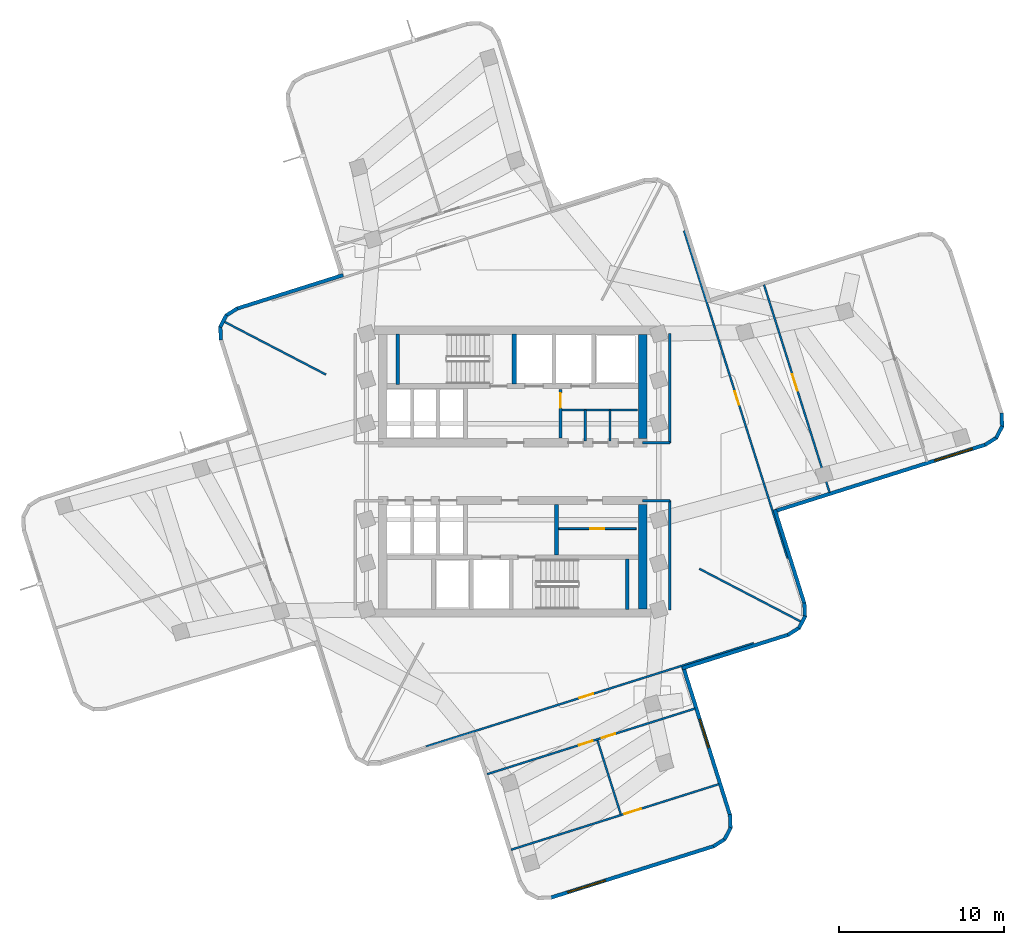
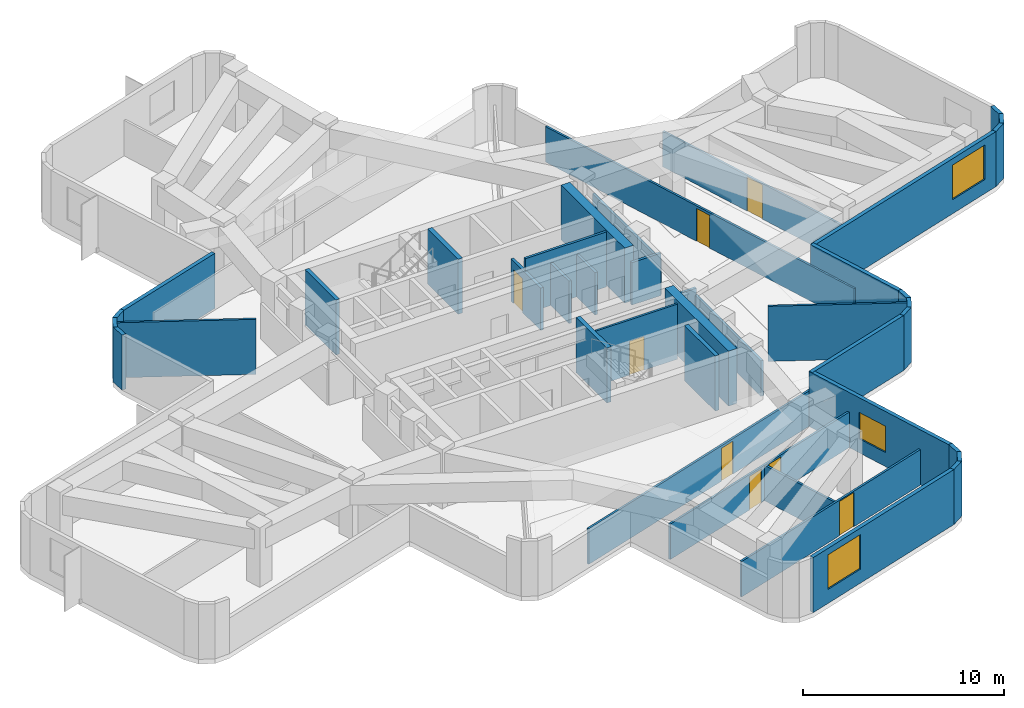
# One storey, part 4 of 8: 41 walls, 8 doors, 3 windows, 11 openings.
"""IFC4 building model written with IfcOpenShell, lengths in metres."""

from ifc_helpers import new_model, si_unit, direction, frame, frame_2d, origin, place, context, subcontext, project, spatial, rectangle, extrude, material, layer, layer_set, type_object, element, fill, save


model = new_model("IFC4")

# Units and contexts
model_context = context("Model", 3, precision=1e-05, world=origin(), true_north=direction((0.0, 1.0)))
body_context = subcontext(model_context, "Body", "Model", "MODEL_VIEW")
ifc_project = project(units=[si_unit("LENGTHUNIT", "METRE"), si_unit("AREAUNIT", "SQUARE_METRE"), si_unit("VOLUMEUNIT", "CUBIC_METRE"), si_unit("PLANEANGLEUNIT", "RADIAN"), si_unit("MASSUNIT", "GRAM", prefix="KILO")], contexts=[model_context])

# Site, building, storey
site_placement = place(None, origin())
site = spatial("IfcSite", under=ifc_project, at=site_placement, CompositionType="ELEMENT")
building_placement = place(site_placement, origin())
building = spatial("IfcBuilding", under=site, at=building_placement, Name="Solmarez Civic Tower", CompositionType="ELEMENT")
storey_placement = place(building_placement, frame((0.0, 0.0, 152.280029296875)))
storey = spatial("IfcBuildingStorey", under=building, at=storey_placement, Name="L40", CompositionType="ELEMENT", Elevation=152.280029296875)

# Walls
ifc_material_1 = material(Name="Concrete C60/75", Category="concrete")
ifc_layer_1 = layer(ifc_material_1, 0.5)
ifc_layer_set_1 = layer_set([ifc_layer_1], Name="Concrete C60/75")
wall_type_1 = type_object("IfcWallType", Name="WALL-CORE-500", PredefinedType="SHEAR", material=ifc_layer_set_1)
for number, where, z_axis, x_axis, name in (
    (1, (7.8701171875, 8.31005859375, 0.0), (0.0, 0.0, 1.0), (0.0, -1.0, 0.0), "L40 Split-Core Structural Wall NCW-E-L40"),
    (2, (7.8701171875, -2.0, 0.0), (0.0, 0.0, 1.0), (0.0, -1.0, 0.0), "L40 Split-Core Structural Wall SCW-E-L40"),
):
    element("IfcWall", number, at=place(storey_placement, frame(where, z_axis=z_axis, x_axis=x_axis)), inside=storey, type_object=wall_type_1, Name=name, PredefinedType="SHEAR", context=body_context, shape_type="SweptSolid", body=[
        extrude(rectangle(XDim=6.31005859375, YDim=0.5, at=frame_2d((3.155029296875, 0.0))), origin(), (0.0, 0.0, 1.0), 3.340087890625),
    ])
ifc_material_2 = material(Name="Precast concrete C40/50", Category="concrete")
ifc_layer_2 = layer(ifc_material_2, 0.219970703125)
ifc_layer_set_2 = layer_set([ifc_layer_2], Name="Precast concrete C40/50")
wall_type_2 = type_object("IfcWallType", Name="WALL-EXT-220", PredefinedType="SOLIDWALL", material=ifc_layer_set_2)
wall_1_placement = place(storey_placement, frame((-17.6630859375, 7.962890625, 0.0), z_axis=(0.0, 0.0, 1.0), x_axis=(-0.044147725226, 0.99902501388, 0.0)))
element("IfcWall", 3, at=wall_1_placement, inside=storey, type_object=wall_type_2, Name="L40 Exterior Precast Wall 14", PredefinedType="SOLIDWALL", context=body_context, shape_type="SweptSolid", body=[
    extrude(rectangle(XDim=0.8349609375, YDim=0.219970703125, at=frame_2d((0.41748046875, 0.0))), origin(), (0.0, 0.0, 1.0), 3.340087890625),
])
wall_2_placement = place(storey_placement, frame((-17.7109375, 8.75, 0.0), z_axis=(0.0, 0.0, 1.0), x_axis=(0.462647505427, 0.886542320322, 0.0)))
element("IfcWall", 4, at=wall_2_placement, inside=storey, type_object=wall_type_2, Name="L40 Exterior Precast Wall 15", PredefinedType="SOLIDWALL", context=body_context, shape_type="SweptSolid", body=[
    extrude(rectangle(XDim=0.819091796875, YDim=0.219970703125, at=frame_2d((0.40966796875, 0.0))), origin(), (0.0, 0.0, 1.0), 3.340087890625),
])
wall_3_placement = place(storey_placement, frame((-17.364990234375, 9.44091796875, 0.0), z_axis=(0.0, 0.0, 1.0), x_axis=(0.84369762364, 0.536818702975, 0.0)))
element("IfcWall", 5, at=wall_3_placement, inside=storey, type_object=wall_type_2, Name="L40 Exterior Precast Wall 16", PredefinedType="SOLIDWALL", context=body_context, shape_type="SweptSolid", body=[
    extrude(rectangle(XDim=0.83447265625, YDim=0.219970703125, at=frame_2d((0.417236328125, 0.0))), origin(), (0.0, 0.0, 1.0), 3.340087890625),
])
wall_4_placement = place(storey_placement, frame((-16.7060546875, 9.867919921875, 0.0), z_axis=(0.0, 0.0, 1.0), x_axis=(0.953629605256, 0.300982683852, 0.0)))
element("IfcWall", 6, at=wall_4_placement, inside=storey, type_object=wall_type_2, Name="L40 Exterior Precast Wall 17", PredefinedType="SOLIDWALL", context=body_context, shape_type="SweptSolid", body=[
    extrude(rectangle(XDim=6.758544921875, YDim=0.219970703125, at=frame_2d((3.37939453125, 0.0))), origin(), (0.0, 0.0, 1.0), 3.340087890625),
])
wall_5_placement = place(storey_placement, frame((29.60302734375, 3.544921875, 0.0), z_axis=(0.0, 0.0, 1.0), x_axis=(0.042992997635, -0.99907537361, 0.0)))
element("IfcWall", 7, at=wall_5_placement, inside=storey, type_object=wall_type_2, Name="L40 Exterior Precast Wall 43", PredefinedType="SOLIDWALL", context=body_context, shape_type="SweptSolid", body=[
    extrude(rectangle(XDim=0.834716796875, YDim=0.219970703125, at=frame_2d((0.41748046875, 0.0))), origin(), (0.0, 0.0, 1.0), 3.340087890625),
])
wall_6_placement = place(storey_placement, frame((29.64990234375, 2.758056640625, 0.0), z_axis=(0.0, 0.0, 1.0), x_axis=(-0.462647505427, -0.886542320322, 0.0)))
element("IfcWall", 8, at=wall_6_placement, inside=storey, type_object=wall_type_2, Name="L40 Exterior Precast Wall 44", PredefinedType="SOLIDWALL", context=body_context, shape_type="SweptSolid", body=[
    extrude(rectangle(XDim=0.819091796875, YDim=0.219970703125, at=frame_2d((0.40966796875, 0.0))), origin(), (0.0, 0.0, 1.0), 3.340087890625),
])
wall_7_placement = place(storey_placement, frame((29.303955078125, 2.06689453125, 0.0), z_axis=(0.0, 0.0, 1.0), x_axis=(-0.843275323489, -0.537481840432, 0.0)))
element("IfcWall", 9, at=wall_7_placement, inside=storey, type_object=wall_type_2, Name="L40 Exterior Precast Wall 45", PredefinedType="SOLIDWALL", context=body_context, shape_type="SweptSolid", body=[
    extrude(rectangle(XDim=0.83349609375, YDim=0.219970703125, at=frame_2d((0.416748046875, 0.0))), origin(), (0.0, 0.0, 1.0), 3.340087890625),
])

# Wall, opening, window
wall_8_placement = place(storey_placement, frame((28.64599609375, 1.639892578125, 0.0), z_axis=(0.0, 0.0, 1.0), x_axis=(-0.953626521982, -0.300992452685, 0.0)))
wall_8 = element("IfcWall", 10, at=wall_8_placement, inside=storey, type_object=wall_type_2, Name="L40 Exterior Precast Wall 46", PredefinedType="SOLIDWALL", context=body_context, shape_type="SweptSolid", body=[
    extrude(rectangle(XDim=13.4580078125, YDim=0.219970703125, at=frame_2d((6.72900390625, 0.0))), origin(), (0.0, 0.0, 1.0), 3.340087890625),
])
opening_1_placement = place(wall_8_placement, frame((0.85009765625, 0.0, 0.85009765625)))
opening_1 = element("IfcOpeningElement", 11, at=opening_1_placement, cuts=wall_8, Name="Opening W-02", PredefinedType="OPENING", context=body_context, shape_type="SweptSolid", body=[
    extrude(rectangle(XDim=2.39990234375, YDim=2.10009765625, at=frame_2d((1.199951171875, 1.050048828125))), frame((0.0, 0.119873046875, 0.0), z_axis=(0.0, -1.0, 0.0), x_axis=(1.0, 0.0, 0.0)), (0.0, 0.0, 1.0), 0.239990234375),
])
ifc_material_3 = material(Name="Solar Control Bronze-Tinted Insulating Glass", Category="glass")
window_type_1 = type_object("IfcWindowType", Name="WIN-2400X2100", PartitioningType="SINGLE_PANEL", PredefinedType="WINDOW", material=ifc_material_3)
window_1_placement = place(opening_1_placement, origin())
window_1 = element("IfcWindow", 12, at=window_1_placement, inside=storey, type_object=window_type_1, Name="L40 Exterior Facade Window 46", OverallHeight=2.10009765625, OverallWidth=2.39990234375, PartitioningType="SINGLE_PANEL", PredefinedType="WINDOW", context=body_context, shape_type="SweptSolid", body=[
    extrude(rectangle(XDim=2.39990234375, YDim=2.10009765625, at=frame_2d((1.199951171875, 1.050048828125))), frame((0.0, 0.030029296875, 0.0), z_axis=(0.0, -1.0, 0.0), x_axis=(1.0, 0.0, 0.0)), (0.0, 0.0, 1.0), 0.06005859375),
])
fill(opening_1, window_1)

# Walls
wall_9_placement = place(storey_placement, frame((15.8701171875, -2.301025390625, 0.0), z_axis=(0.0, 0.0, 1.0), x_axis=(0.300910882413, -0.953652264112, 0.0)))
element("IfcWall", 13, at=wall_9_placement, inside=storey, type_object=wall_type_2, Name="L40 Exterior Precast Wall 49", PredefinedType="SOLIDWALL", context=body_context, shape_type="SweptSolid", body=[
    extrude(rectangle(XDim=5.988525390625, YDim=0.219970703125, at=frame_2d((2.994140625, 0.0))), origin(), (0.0, 0.0, 1.0), 3.340087890625),
])
wall_10_placement = place(storey_placement, frame((17.6630859375, -7.962890625, 0.0), z_axis=(0.0, 0.0, 1.0), x_axis=(0.044147725226, -0.99902501388, 0.0)))
element("IfcWall", 14, at=wall_10_placement, inside=storey, type_object=wall_type_2, Name="L40 Exterior Precast Wall 50", PredefinedType="SOLIDWALL", context=body_context, shape_type="SweptSolid", body=[
    extrude(rectangle(XDim=0.8349609375, YDim=0.219970703125, at=frame_2d((0.41748046875, 0.0))), origin(), (0.0, 0.0, 1.0), 3.340087890625),
])
wall_11_placement = place(storey_placement, frame((17.7109375, -8.75, 0.0), z_axis=(0.0, 0.0, 1.0), x_axis=(-0.462647505427, -0.886542320322, 0.0)))
element("IfcWall", 15, at=wall_11_placement, inside=storey, type_object=wall_type_2, Name="L40 Exterior Precast Wall 51", PredefinedType="SOLIDWALL", context=body_context, shape_type="SweptSolid", body=[
    extrude(rectangle(XDim=0.819091796875, YDim=0.219970703125, at=frame_2d((0.40966796875, 0.0))), origin(), (0.0, 0.0, 1.0), 3.340087890625),
])
wall_12_placement = place(storey_placement, frame((17.364990234375, -9.44091796875, 0.0), z_axis=(0.0, 0.0, 1.0), x_axis=(-0.84369762364, -0.536818702975, 0.0)))
element("IfcWall", 16, at=wall_12_placement, inside=storey, type_object=wall_type_2, Name="L40 Exterior Precast Wall 52", PredefinedType="SOLIDWALL", context=body_context, shape_type="SweptSolid", body=[
    extrude(rectangle(XDim=0.83447265625, YDim=0.219970703125, at=frame_2d((0.417236328125, 0.0))), origin(), (0.0, 0.0, 1.0), 3.340087890625),
])
wall_13_placement = place(storey_placement, frame((16.7060546875, -9.867919921875, 0.0), z_axis=(0.0, 0.0, 1.0), x_axis=(-0.953629605256, -0.300982683852, 0.0)))
element("IfcWall", 17, at=wall_13_placement, inside=storey, type_object=wall_type_2, Name="L40 Exterior Precast Wall 53", PredefinedType="SOLIDWALL", context=body_context, shape_type="SweptSolid", body=[
    extrude(rectangle(XDim=6.758544921875, YDim=0.219970703125, at=frame_2d((3.37939453125, 0.0))), origin(), (0.0, 0.0, 1.0), 3.340087890625),
])

# Wall, opening, window
wall_14_placement = place(storey_placement, frame((10.319091796875, -11.7919921875, 0.0), z_axis=(0.0, 0.0, 1.0), x_axis=(0.301051082334, -0.953608014766, 0.0)))
wall_14 = element("IfcWall", 18, at=wall_14_placement, inside=storey, type_object=wall_type_2, Name="L40 Exterior Precast Wall 56", PredefinedType="SOLIDWALL", context=body_context, shape_type="SweptSolid", body=[
    extrude(rectangle(XDim=9.4599609375, YDim=0.219970703125, at=frame_2d((4.72998046875, 0.0))), origin(), (0.0, 0.0, 1.0), 3.340087890625),
])
opening_2_placement = place(wall_14_placement, frame((3.35009765625, 0.0, 0.85009765625)))
opening_2 = element("IfcOpeningElement", 19, at=opening_2_placement, cuts=wall_14, Name="Opening W-12", PredefinedType="OPENING", context=body_context, shape_type="SweptSolid", body=[
    extrude(rectangle(XDim=1.800048828125, YDim=1.60009765625, at=frame_2d((0.89990234375, 0.800048828125))), frame((0.0, 0.119873046875, 0.0), z_axis=(0.0, -1.0, 0.0), x_axis=(1.0, 0.0, 0.0)), (0.0, 0.0, 1.0), 0.239990234375),
])
window_type_2 = type_object("IfcWindowType", Name="WIN-1800X1600", PartitioningType="SINGLE_PANEL", PredefinedType="WINDOW", material=ifc_material_3)
window_2_placement = place(opening_2_placement, origin())
window_2 = element("IfcWindow", 20, at=window_2_placement, inside=storey, type_object=window_type_2, Name="L40 Exterior Facade Window 56", OverallHeight=1.60009765625, OverallWidth=1.800048828125, PartitioningType="SINGLE_PANEL", PredefinedType="WINDOW", context=body_context, shape_type="SweptSolid", body=[
    extrude(rectangle(XDim=1.800048828125, YDim=1.60009765625, at=frame_2d((0.89990234375, 0.800048828125))), frame((0.0, 0.030029296875, 0.0), z_axis=(0.0, -1.0, 0.0), x_axis=(1.0, 0.0, 0.0)), (0.0, 0.0, 1.0), 0.06005859375),
])
fill(opening_2, window_2)

# Walls
wall_15_placement = place(storey_placement, frame((13.157958984375, -20.763916015625, 0.0), z_axis=(0.0, 0.0, 1.0), x_axis=(0.043335569986, -0.999060572925, 0.0)))
element("IfcWall", 21, at=wall_15_placement, inside=storey, type_object=wall_type_2, Name="L40 Exterior Precast Wall 57", PredefinedType="SOLIDWALL", context=body_context, shape_type="SweptSolid", body=[
    extrude(rectangle(XDim=0.833740234375, YDim=0.219970703125, at=frame_2d((0.4169921875, 0.0))), origin(), (0.0, 0.0, 1.0), 3.340087890625),
])
wall_16_placement = place(storey_placement, frame((13.205078125, -21.550048828125, 0.0), z_axis=(0.0, 0.0, 1.0), x_axis=(-0.462393015656, -0.886675080891, 0.0)))
element("IfcWall", 22, at=wall_16_placement, inside=storey, type_object=wall_type_2, Name="L40 Exterior Precast Wall 58", PredefinedType="SOLIDWALL", context=body_context, shape_type="SweptSolid", body=[
    extrude(rectangle(XDim=0.820068359375, YDim=0.219970703125, at=frame_2d((0.41015625, 0.0))), origin(), (0.0, 0.0, 1.0), 3.340087890625),
])
wall_17_placement = place(storey_placement, frame((12.85888671875, -22.241943359375, 0.0), z_axis=(0.0, 0.0, 1.0), x_axis=(-0.843806278008, -0.536647896851, 0.0)))
element("IfcWall", 23, at=wall_17_placement, inside=storey, type_object=wall_type_2, Name="L40 Exterior Precast Wall 59", PredefinedType="SOLIDWALL", context=body_context, shape_type="SweptSolid", body=[
    extrude(rectangle(XDim=0.8330078125, YDim=0.219970703125, at=frame_2d((0.41650390625, 0.0))), origin(), (0.0, 0.0, 1.0), 3.340087890625),
])

# Wall, opening, window
wall_18_placement = place(storey_placement, frame((12.200927734375, -22.66796875, 0.0), z_axis=(0.0, 0.0, 1.0), x_axis=(-0.953590831, -0.30110550814, 0.0)))
wall_18 = element("IfcWall", 24, at=wall_18_placement, inside=storey, type_object=wall_type_2, Name="L40 Exterior Precast Wall 60", PredefinedType="SOLIDWALL", context=body_context, shape_type="SweptSolid", body=[
    extrude(rectangle(XDim=10.39208984375, YDim=0.219970703125, at=frame_2d((5.196044921875, 0.0))), origin(), (0.0, 0.0, 1.0), 3.340087890625),
])
opening_3_placement = place(wall_18_placement, frame((6.906005859375, 0.0, 0.85009765625)))
opening_3 = element("IfcOpeningElement", 25, at=opening_3_placement, cuts=wall_18, Name="Opening W-02", PredefinedType="OPENING", context=body_context, shape_type="SweptSolid", body=[
    extrude(rectangle(XDim=2.39990234375, YDim=2.10009765625, at=frame_2d((1.199951171875, 1.050048828125))), frame((0.0, 0.119873046875, 0.0), z_axis=(0.0, -1.0, 0.0), x_axis=(1.0, 0.0, 0.0)), (0.0, 0.0, 1.0), 0.239990234375),
])
window_3_placement = place(opening_3_placement, origin())
window_3 = element("IfcWindow", 26, at=window_3_placement, inside=storey, type_object=window_type_1, Name="L40 Exterior Facade Window 60", OverallHeight=2.10009765625, OverallWidth=2.39990234375, PartitioningType="SINGLE_PANEL", PredefinedType="WINDOW", context=body_context, shape_type="SweptSolid", body=[
    extrude(rectangle(XDim=2.39990234375, YDim=2.10009765625, at=frame_2d((1.199951171875, 1.050048828125))), frame((0.0, 0.030029296875, 0.0), z_axis=(0.0, -1.0, 0.0), x_axis=(1.0, 0.0, 0.0)), (0.0, 0.0, 1.0), 0.06005859375),
])
fill(opening_3, window_3)

# Walls
ifc_material_4 = material(Name="Gypsum Board Acoustic Steel-Stud Partition", Category="steel")
ifc_layer_3 = layer(ifc_material_4, 0.14990234375)
ifc_layer_set_3 = layer_set([ifc_layer_3], Name="Gypsum Board Acoustic Steel-Stud Partition")
wall_type_3 = type_object("IfcWallType", Name="WALL-INT-FIRE-150", PredefinedType="PARTITIONING", material=ifc_layer_set_3)
wall_19_placement = place(storey_placement, frame((9.52001953125, 1.75, 0.0), z_axis=(0.0, 0.0, 1.0), x_axis=(0.0, 1.0, 0.0)))
element("IfcWall", 27, at=wall_19_placement, inside=storey, type_object=wall_type_3, Name="L40 Interior Partition CHW-L40-EN1", PredefinedType="PARTITIONING", context=body_context, shape_type="SweptSolid", body=[
    extrude(rectangle(XDim=6.6298828125, YDim=0.14990234375, at=frame_2d((3.31494140625, 0.0))), origin(), (0.0, 0.0, 1.0), 2.15185546875),
])
wall_20_placement = place(storey_placement, frame((7.85009765625, 1.75, 0.0), z_axis=(0.0, 0.0, 1.0), x_axis=(1.0, 0.0, 0.0)))
element("IfcWall", 28, at=wall_20_placement, inside=storey, type_object=wall_type_3, Name="L40 Interior Partition CHW-L40-EN3", PredefinedType="PARTITIONING", context=body_context, shape_type="SweptSolid", body=[
    extrude(rectangle(XDim=1.669921875, YDim=0.14990234375, at=frame_2d((0.8349609375, 0.0))), origin(), (0.0, 0.0, 1.0), 2.570068359375),
])
wall_21_placement = place(storey_placement, frame((9.52001953125, -8.3798828125, 0.0), z_axis=(0.0, 0.0, 1.0), x_axis=(0.0, 1.0, 0.0)))
element("IfcWall", 29, at=wall_21_placement, inside=storey, type_object=wall_type_3, Name="L40 Interior Partition CHW-L40-ES1", PredefinedType="PARTITIONING", context=body_context, shape_type="SweptSolid", body=[
    extrude(rectangle(XDim=6.6298828125, YDim=0.14990234375, at=frame_2d((3.31494140625, 0.0))), origin(), (0.0, 0.0, 1.0), 2.15185546875),
])
wall_22_placement = place(storey_placement, frame((7.85009765625, -1.75, 0.0), z_axis=(0.0, 0.0, 1.0), x_axis=(1.0, 0.0, 0.0)))
element("IfcWall", 30, at=wall_22_placement, inside=storey, type_object=wall_type_3, Name="L40 Interior Partition CHW-L40-ES3", PredefinedType="PARTITIONING", context=body_context, shape_type="SweptSolid", body=[
    extrude(rectangle(XDim=1.669921875, YDim=0.14990234375, at=frame_2d((0.8349609375, 0.0))), origin(), (0.0, 0.0, 1.0), 2.570068359375),
])

# Wall, opening, door
ifc_layer_4 = layer(ifc_material_4, 0.1201171875)
ifc_layer_set_4 = layer_set([ifc_layer_4], Name="Gypsum Board Acoustic Steel-Stud Partition")
wall_type_4 = type_object("IfcWallType", Name="WALL-INT-PART-120", PredefinedType="PARTITIONING", material=ifc_layer_set_4)
wall_23_placement = place(storey_placement, frame((2.800048828125, -3.449951171875, 0.0), z_axis=(0.0, 0.0, 1.0), x_axis=(1.0, 0.0, 0.0)))
wall_23 = element("IfcWall", 31, at=wall_23_placement, inside=storey, type_object=wall_type_4, Name="L40 Interior Partition PT-FPLL-L40", PredefinedType="PARTITIONING", context=body_context, shape_type="SweptSolid", body=[
    extrude(rectangle(XDim=4.679931640625, YDim=0.1201171875, at=frame_2d((2.33984375, 0.0))), origin(), (0.0, 0.0, 1.0), 3.340087890625),
])
opening_4_placement = place(wall_23_placement, frame((1.89990234375, 0.0, 0.0)))
opening_4 = element("IfcOpeningElement", 32, at=opening_4_placement, cuts=wall_23, Name="Opening D-14", PredefinedType="OPENING", context=body_context, shape_type="SweptSolid", body=[
    extrude(rectangle(XDim=0.860107421875, YDim=2.0400390625, at=frame_2d((0.43017578125, 1.02001953125))), frame((0.0, 0.070068359375, 0.0), z_axis=(0.0, -1.0, 0.0), x_axis=(1.0, 0.0, 0.0)), (0.0, 0.0, 1.0), 0.14013671875),
])
ifc_material_5 = material(Name="Timber Storage and Pantry Door", Category="wood")
door_type_1 = type_object("IfcDoorType", Name="DOOR-INT-850", OperationType="NOTDEFINED", PredefinedType="DOOR", material=ifc_material_5)
door_1_placement = place(opening_4_placement, origin())
door_1 = element("IfcDoor", 33, at=door_1_placement, inside=storey, type_object=door_type_1, Name="L40 Records Filing Room Door", OperationType="SINGLE_SWING_LEFT", OverallHeight=2.0400390625, OverallWidth=0.860107421875, PredefinedType="DOOR", context=body_context, shape_type="SweptSolid", body=[
    extrude(rectangle(XDim=0.860107421875, YDim=2.0400390625, at=frame_2d((0.43017578125, 1.02001953125))), frame((0.0, 0.02490234375, 0.0), z_axis=(0.0, -1.0, 0.0), x_axis=(1.0, 0.0, 0.0)), (0.0, 0.0, 1.0), 0.050048828125),
])
fill(opening_4, door_1)

# Walls
for number, where, z_axis, x_axis, name in (
    (34, (-11.300048828125, 5.876953125, 0.0), (0.0, 0.0, 1.0), (-0.887198362964, 0.461388193123, 0.0), "L40 Interior Partition PT-L40-QDIV-2"),
    (35, (11.300048828125, -5.876953125, 0.0), (0.0, 0.0, 1.0), (0.887198362964, -0.461388193123, 0.0), "L40 Interior Partition PT-L40-QDIV-4"),
):
    element("IfcWall", number, at=place(storey_placement, frame(where, z_axis=z_axis, x_axis=x_axis)), inside=storey, type_object=wall_type_4, Name=name, PredefinedType="PARTITIONING", context=body_context, shape_type="SweptSolid", body=[
        extrude(rectangle(XDim=6.9375, YDim=0.1201171875, at=frame_2d((3.46875, 0.0))), origin(), (0.0, 0.0, 1.0), 3.340087890625),
    ])

# Wall, opening, door
wall_24_placement = place(storey_placement, frame((10.37890625, 14.591064453125, 0.0), z_axis=(0.0, 0.0, 1.0), x_axis=(0.301070726534, -0.95360181293, 0.0)))
wall_24 = element("IfcWall", 36, at=wall_24_placement, inside=storey, type_object=wall_type_4, Name="L40 Interior Partition PT-L40-E-ENT", PredefinedType="PARTITIONING", context=body_context, shape_type="SweptSolid", body=[
    extrude(rectangle(XDim=20.8095703125, YDim=0.1201171875, at=frame_2d((10.40478515625, 0.0))), origin(), (0.0, 0.0, 1.0), 2.15185546875),
])
opening_5_placement = place(wall_24_placement, frame((10.18896484375, 0.0, 0.0)))
opening_5 = element("IfcOpeningElement", 37, at=opening_5_placement, cuts=wall_24, Name="Opening D-19", PredefinedType="OPENING", context=body_context, shape_type="SweptSolid", body=[
    extrude(rectangle(XDim=0.860107421875, YDim=2.0, at=frame_2d((0.43017578125, 1.0))), frame((0.0, 0.070068359375, 0.0), z_axis=(0.0, -1.0, 0.0), x_axis=(1.0, 0.0, 0.0)), (0.0, 0.0, 1.0), 0.14013671875),
])
ifc_material_6 = material(Name="Timber Low-Headroom Storage and Pantry Door", Category="wood")
door_type_2 = type_object("IfcDoorType", Name="DOOR-INT-850-2000", OperationType="NOTDEFINED", PredefinedType="DOOR", material=ifc_material_6)
door_2_placement = place(opening_5_placement, origin())
door_2 = element("IfcDoor", 38, at=door_2_placement, inside=storey, type_object=door_type_2, Name="L40 Maritime Registry Staff Dining Canteen First East Door", OperationType="SINGLE_SWING_LEFT", OverallHeight=2.0, OverallWidth=0.860107421875, PredefinedType="DOOR", context=body_context, shape_type="SweptSolid", body=[
    extrude(rectangle(XDim=0.860107421875, YDim=2.0, at=frame_2d((0.43017578125, 1.0))), frame((0.0, 0.02490234375, 0.0), z_axis=(0.0, -1.0, 0.0), x_axis=(1.0, 0.0, 0.0)), (0.0, 0.0, 1.0), 0.050048828125),
])
fill(opening_5, door_2)

wall_25_placement = place(storey_placement, frame((15.218017578125, 11.321044921875, 0.0), z_axis=(0.0, 0.0, 1.0), x_axis=(0.301061435932, -0.953604746105, 0.0)))
wall_25 = element("IfcWall", 39, at=wall_25_placement, inside=storey, type_object=wall_type_4, Name="L40 Interior Partition PT-L40-E-SC1", PredefinedType="PARTITIONING", context=body_context, shape_type="SweptSolid", body=[
    extrude(rectangle(XDim=13.199462890625, YDim=0.1201171875, at=frame_2d((6.599609375, 0.0))), origin(), (0.0, 0.0, 1.0), 2.15185546875),
])
opening_6_placement = place(wall_25_placement, frame((5.68994140625, 0.0, 0.0)))
opening_6 = element("IfcOpeningElement", 40, at=opening_6_placement, cuts=wall_25, Name="Opening D-13", PredefinedType="OPENING", context=body_context, shape_type="SweptSolid", body=[
    extrude(rectangle(XDim=1.050048828125, YDim=2.080078125, at=frame_2d((0.52490234375, 1.0400390625))), frame((0.0, 0.070068359375, 0.0), z_axis=(0.0, -1.0, 0.0), x_axis=(1.0, 0.0, 0.0)), (0.0, 0.0, 1.0), 0.14013671875),
])
ifc_material_7 = material(Name="Timber Directorate Office Door", Category="wood")
door_type_3 = type_object("IfcDoorType", Name="DOOR-INT-1050", OperationType="NOTDEFINED", PredefinedType="DOOR", material=ifc_material_7)
door_3_placement = place(opening_6_placement, origin())
door_3 = element("IfcDoor", 41, at=door_3_placement, inside=storey, type_object=door_type_3, Name="L40 Catering Servery East Door", OperationType="SINGLE_SWING_LEFT", OverallHeight=2.080078125, OverallWidth=1.050048828125, PredefinedType="DOOR", context=body_context, shape_type="SweptSolid", body=[
    extrude(rectangle(XDim=1.050048828125, YDim=2.080078125, at=frame_2d((0.52490234375, 1.0400390625))), frame((0.0, 0.02490234375, 0.0), z_axis=(0.0, -1.0, 0.0), x_axis=(1.0, 0.0, 0.0)), (0.0, 0.0, 1.0), 0.050048828125),
])
fill(opening_6, door_3)

wall_26_placement = place(storey_placement, frame((14.591064453125, -10.37890625, 0.0), z_axis=(0.0, 0.0, 1.0), x_axis=(-0.95360181293, -0.301070726534, 0.0)))
wall_26 = element("IfcWall", 42, at=wall_26_placement, inside=storey, type_object=wall_type_4, Name="L40 Interior Partition PT-L40-S-ENT", PredefinedType="PARTITIONING", context=body_context, shape_type="SweptSolid", body=[
    extrude(rectangle(XDim=20.8095703125, YDim=0.1201171875, at=frame_2d((10.40478515625, 0.0))), origin(), (0.0, 0.0, 1.0), 2.15185546875),
])
opening_7_placement = place(wall_26_placement, frame((10.18896484375, 0.0, 0.0)))
opening_7 = element("IfcOpeningElement", 43, at=opening_7_placement, cuts=wall_26, Name="Opening D-19", PredefinedType="OPENING", context=body_context, shape_type="SweptSolid", body=[
    extrude(rectangle(XDim=0.860107421875, YDim=2.0, at=frame_2d((0.43017578125, 1.0))), frame((0.0, 0.070068359375, 0.0), z_axis=(0.0, -1.0, 0.0), x_axis=(1.0, 0.0, 0.0)), (0.0, 0.0, 1.0), 0.14013671875),
])
door_4_placement = place(opening_7_placement, origin())
door_4 = element("IfcDoor", 44, at=door_4_placement, inside=storey, type_object=door_type_2, Name="L40 Civic Multi-Purpose Room First South Door", OperationType="SINGLE_SWING_LEFT", OverallHeight=2.0, OverallWidth=0.860107421875, PredefinedType="DOOR", context=body_context, shape_type="SweptSolid", body=[
    extrude(rectangle(XDim=0.860107421875, YDim=2.0, at=frame_2d((0.43017578125, 1.0))), frame((0.0, 0.02490234375, 0.0), z_axis=(0.0, -1.0, 0.0), x_axis=(1.0, 0.0, 0.0)), (0.0, 0.0, 1.0), 0.050048828125),
])
fill(opening_7, door_4)

# Wall
wall_27_placement = place(storey_placement, frame((5.135986328125, -16.26904296875, 0.0), z_axis=(0.0, 0.0, 1.0), x_axis=(0.301053971024, -0.953607102811, 0.0)))
element("IfcWall", 45, at=wall_27_placement, inside=storey, type_object=wall_type_4, Name="L40 Interior Partition PT-L40-S-MM", PredefinedType="PARTITIONING", context=body_context, shape_type="SweptSolid", body=[
    extrude(rectangle(XDim=4.679931640625, YDim=0.1201171875, at=frame_2d((2.33984375, 0.0))), origin(), (0.0, 0.0, 1.0), 2.15185546875),
])

# Wall, openings, doors
wall_28_placement = place(storey_placement, frame((-1.54296875, -18.31396484375, 0.0), z_axis=(0.0, 0.0, 1.0), x_axis=(0.953624308899, 0.300999464247, 0.0)))
wall_28 = element("IfcWall", 46, at=wall_28_placement, inside=storey, type_object=wall_type_4, Name="L40 Interior Partition PT-L40-S-S1", PredefinedType="PARTITIONING", context=body_context, shape_type="SweptSolid", body=[
    extrude(rectangle(XDim=13.198974609375, YDim=0.1201171875, at=frame_2d((6.599609375, 0.0))), origin(), (0.0, 0.0, 1.0), 2.15185546875),
])
opening_8_placement = place(wall_28_placement, frame((5.8349609375, 0.0, 0.0)))
opening_8 = element("IfcOpeningElement", 47, at=opening_8_placement, cuts=wall_28, Name="Opening D-14", PredefinedType="OPENING", context=body_context, shape_type="SweptSolid", body=[
    extrude(rectangle(XDim=0.860107421875, YDim=2.0400390625, at=frame_2d((0.43017578125, 1.02001953125))), frame((0.0, 0.070068359375, 0.0), z_axis=(0.0, -1.0, 0.0), x_axis=(1.0, 0.0, 0.0)), (0.0, 0.0, 1.0), 0.14013671875),
])
opening_9_placement = place(wall_28_placement, frame((7.27490234375, 0.0, 0.0)))
opening_9 = element("IfcOpeningElement", 48, at=opening_9_placement, cuts=wall_28, Name="Opening D-14", PredefinedType="OPENING", context=body_context, shape_type="SweptSolid", body=[
    extrude(rectangle(XDim=0.860107421875, YDim=2.0400390625, at=frame_2d((0.43017578125, 1.02001953125))), frame((0.0, 0.070068359375, 0.0), z_axis=(0.0, -1.0, 0.0), x_axis=(1.0, 0.0, 0.0)), (0.0, 0.0, 1.0), 0.14013671875),
])
door_5_placement = place(opening_8_placement, origin())
door_5 = element("IfcDoor", 49, at=door_5_placement, inside=storey, type_object=door_type_1, Name="L40 Catering Servery Third South Door", OperationType="SINGLE_SWING_RIGHT", OverallHeight=2.0400390625, OverallWidth=0.860107421875, PredefinedType="DOOR", context=body_context, shape_type="SweptSolid", body=[
    extrude(rectangle(XDim=0.860107421875, YDim=2.0400390625, at=frame_2d((0.43017578125, 1.02001953125))), frame((0.0, 0.02490234375, 0.0), z_axis=(0.0, -1.0, 0.0), x_axis=(1.0, 0.0, 0.0)), (0.0, 0.0, 1.0), 0.050048828125),
])
fill(opening_8, door_5)
door_6_placement = place(opening_9_placement, origin())
door_6 = element("IfcDoor", 50, at=door_6_placement, inside=storey, type_object=door_type_1, Name="L40 Staff Dining Canteen Second South Door", OperationType="SINGLE_SWING_LEFT", OverallHeight=2.0400390625, OverallWidth=0.860107421875, PredefinedType="DOOR", context=body_context, shape_type="SweptSolid", body=[
    extrude(rectangle(XDim=0.860107421875, YDim=2.0400390625, at=frame_2d((0.43017578125, 1.02001953125))), frame((0.0, 0.02490234375, 0.0), z_axis=(0.0, -1.0, 0.0), x_axis=(1.0, 0.0, 0.0)), (0.0, 0.0, 1.0), 0.050048828125),
])
fill(opening_9, door_6)

# Wall, opening, door
wall_29_placement = place(storey_placement, frame((12.489013671875, -18.91796875, 0.0), z_axis=(0.0, 0.0, 1.0), x_axis=(-0.953597759193, -0.301083565912, 0.0)))
wall_29 = element("IfcWall", 51, at=wall_29_placement, inside=storey, type_object=wall_type_4, Name="L40 Interior Partition PT-L40-S-S2", PredefinedType="PARTITIONING", context=body_context, shape_type="SweptSolid", body=[
    extrude(rectangle(XDim=13.199462890625, YDim=0.1201171875, at=frame_2d((6.599609375, 0.0))), origin(), (0.0, 0.0, 1.0), 2.15185546875),
])
opening_10_placement = place(wall_29_placement, frame((4.93994140625, 0.0, 0.0)))
opening_10 = element("IfcOpeningElement", 52, at=opening_10_placement, cuts=wall_29, Name="Opening D-13", PredefinedType="OPENING", context=body_context, shape_type="SweptSolid", body=[
    extrude(rectangle(XDim=1.050048828125, YDim=2.080078125, at=frame_2d((0.52490234375, 1.0400390625))), frame((0.0, 0.070068359375, 0.0), z_axis=(0.0, -1.0, 0.0), x_axis=(1.0, 0.0, 0.0)), (0.0, 0.0, 1.0), 0.14013671875),
])
door_7_placement = place(opening_10_placement, origin())
door_7 = element("IfcDoor", 53, at=door_7_placement, inside=storey, type_object=door_type_3, Name="L40 Delegates Sitting Lounge Fourth South Door", OperationType="SINGLE_SWING_LEFT", OverallHeight=2.080078125, OverallWidth=1.050048828125, PredefinedType="DOOR", context=body_context, shape_type="SweptSolid", body=[
    extrude(rectangle(XDim=1.050048828125, YDim=2.080078125, at=frame_2d((0.52490234375, 1.0400390625))), frame((0.0, 0.02490234375, 0.0), z_axis=(0.0, -1.0, 0.0), x_axis=(1.0, 0.0, 0.0)), (0.0, 0.0, 1.0), 0.050048828125),
])
fill(opening_10, door_7)

ifc_layer_5 = layer(ifc_material_4, 0.159912109375)
ifc_layer_set_5 = layer_set([ifc_layer_5], Name="Gypsum Board Acoustic Steel-Stud Partition")
wall_type_5 = type_object("IfcWallType", Name="WALL-INT-SHAFT-160", PredefinedType="PARTITIONING", material=ifc_layer_set_5)
wall_30_placement = place(storey_placement, frame((2.89990234375, 2.0400390625, 0.0), z_axis=(0.0, 0.0, 1.0), x_axis=(0.0, 1.0, 0.0)))
wall_30 = element("IfcWall", 54, at=wall_30_placement, inside=storey, type_object=wall_type_5, Name="L40 Interior Partition SHW-NL2-L40", PredefinedType="PARTITIONING", context=body_context, shape_type="SweptSolid", body=[
    extrude(rectangle(XDim=2.93994140625, YDim=0.159912109375, at=frame_2d((1.469970703125, 0.0))), origin(), (0.0, 0.0, 1.0), 2.570068359375),
])
opening_11_placement = place(wall_30_placement, frame((1.820068359375, 0.0, 0.0)))
opening_11 = element("IfcOpeningElement", 55, at=opening_11_placement, cuts=wall_30, Name="Opening D-09", PredefinedType="OPENING", context=body_context, shape_type="SweptSolid", body=[
    extrude(rectangle(XDim=0.89990234375, YDim=2.06005859375, at=frame_2d((0.449951171875, 1.030029296875))), frame((0.0, 0.08984375, 0.0), z_axis=(0.0, -1.0, 0.0), x_axis=(1.0, 0.0, 0.0)), (0.0, 0.0, 1.0), 0.179931640625),
])
ifc_material_8 = material(Name="Fire-Rated Service Core Door", Category="wood")
door_type_4 = type_object("IfcDoorType", Name="DOOR-FD60-900", OperationType="NOTDEFINED", PredefinedType="DOOR", material=ifc_material_8)
door_8_placement = place(opening_11_placement, origin())
door_8 = element("IfcDoor", 56, at=door_8_placement, inside=storey, type_object=door_type_4, Name="L40 Service Lift Lobby Door", OperationType="SINGLE_SWING_LEFT", OverallHeight=2.06005859375, OverallWidth=0.89990234375, PredefinedType="DOOR", context=body_context, shape_type="SweptSolid", body=[
    extrude(rectangle(XDim=0.89990234375, YDim=2.06005859375, at=frame_2d((0.449951171875, 1.030029296875))), frame((0.0, 0.02490234375, 0.0), z_axis=(0.0, -1.0, 0.0), x_axis=(1.0, 0.0, 0.0)), (0.0, 0.0, 1.0), 0.050048828125),
])
fill(opening_11, door_8)

# Walls
ifc_layer_6 = layer(ifc_material_4, 0.137939453125)
ifc_layer_set_6 = layer_set([ifc_layer_6], Name="Gypsum Board Acoustic Steel-Stud Partition")
wall_type_6 = type_object("IfcWallType", Name="WALL-INT-WET-140", PredefinedType="PARTITIONING", material=ifc_layer_set_6)
wall_31_placement = place(storey_placement, frame((2.89990234375, 3.739990234375, 0.0), z_axis=(0.0, 0.0, 1.0), x_axis=(1.0, 0.0, 0.0)))
element("IfcWall", 57, at=wall_31_placement, inside=storey, type_object=wall_type_6, Name="L40 Interior Partition SHW-SVH-L40", PredefinedType="PARTITIONING", context=body_context, shape_type="SweptSolid", body=[
    extrude(rectangle(XDim=4.650146484375, YDim=0.137939453125, at=frame_2d((2.3251953125, 0.0))), origin(), (0.0, 0.0, 1.0), 3.340087890625),
])
for number, where, z_axis, x_axis, name in (
    (58, (4.39990234375, 1.85009765625, 0.0), (0.0, 0.0, 1.0), (0.0, 1.0, 0.0), "L40 Interior Partition PT-NCSV1-L40"),
    (59, (5.89990234375, 1.85009765625, 0.0), (0.0, 0.0, 1.0), (0.0, 1.0, 0.0), "L40 Interior Partition PT-NCSV2-L40"),
):
    element("IfcWall", number, at=place(storey_placement, frame(where, z_axis=z_axis, x_axis=x_axis)), inside=storey, type_object=wall_type_6, Name=name, PredefinedType="PARTITIONING", context=body_context, shape_type="SweptSolid", body=[
        extrude(rectangle(XDim=1.889892578125, YDim=0.137939453125, at=frame_2d((0.94482421875, 0.0))), origin(), (0.0, 0.0, 1.0), 2.570068359375),
    ])
ifc_material_9 = material(Name="Concrete C50/60", Category="concrete")
ifc_layer_7 = layer(ifc_material_9, 0.300048828125)
ifc_layer_set_7 = layer_set([ifc_layer_7], Name="Concrete C50/60")
wall_type_7 = type_object("IfcWallType", Name="WALL-STR-300", PredefinedType="SOLIDWALL", material=ifc_layer_set_7)
for number, where, z_axis, x_axis, name in (
    (60, (-6.949951171875, 5.280029296875, 0.0), (0.0, 0.0, 1.0), (0.0, 1.0, 0.0), "L40 Split-Core Structural Wall SHW-NW-L40"),
    (61, (6.949951171875, -8.340087890625, 0.0), (0.0, 0.0, 1.0), (0.0, 1.0, 0.0), "L40 Split-Core Structural Wall SHW-SE-L40"),
):
    element("IfcWall", number, at=place(storey_placement, frame(where, z_axis=z_axis, x_axis=x_axis)), inside=storey, type_object=wall_type_7, Name=name, PredefinedType="SOLIDWALL", context=body_context, shape_type="SweptSolid", body=[
        extrude(rectangle(XDim=3.06005859375, YDim=0.219970703125, at=frame_2d((1.530029296875, 0.0))), origin(), (0.0, 0.0, 1.0), 3.340087890625),
    ])
wall_32_placement = place(storey_placement, frame((0.10009765625, 5.300048828125, 0.0), z_axis=(0.0, 0.0, 1.0), x_axis=(0.0, 1.0, 0.0)))
element("IfcWall", 62, at=wall_32_placement, inside=storey, type_object=wall_type_7, Name="L40 Split-Core Structural Wall SHW-N1-L40", PredefinedType="SOLIDWALL", context=body_context, shape_type="SweptSolid", body=[
    extrude(rectangle(XDim=3.0400390625, YDim=0.25, at=frame_2d((1.52001953125, 0.0))), origin(), (0.0, 0.0, 1.0), 3.340087890625),
])
wall_33_placement = place(storey_placement, frame((2.64990234375, -5.050048828125, 0.0), z_axis=(0.0, 0.0, 1.0), x_axis=(0.0, 1.0, 0.0)))
element("IfcWall", 63, at=wall_33_placement, inside=storey, type_object=wall_type_7, Name="L40 Split-Core Structural Wall SHW-SL2-L40", PredefinedType="SOLIDWALL", context=body_context, shape_type="SweptSolid", body=[
    extrude(rectangle(XDim=3.070068359375, YDim=0.25, at=frame_2d((1.53515625, 0.0))), origin(), (0.0, 0.0, 1.0), 3.340087890625),
])

save(model, "model.ifc")
